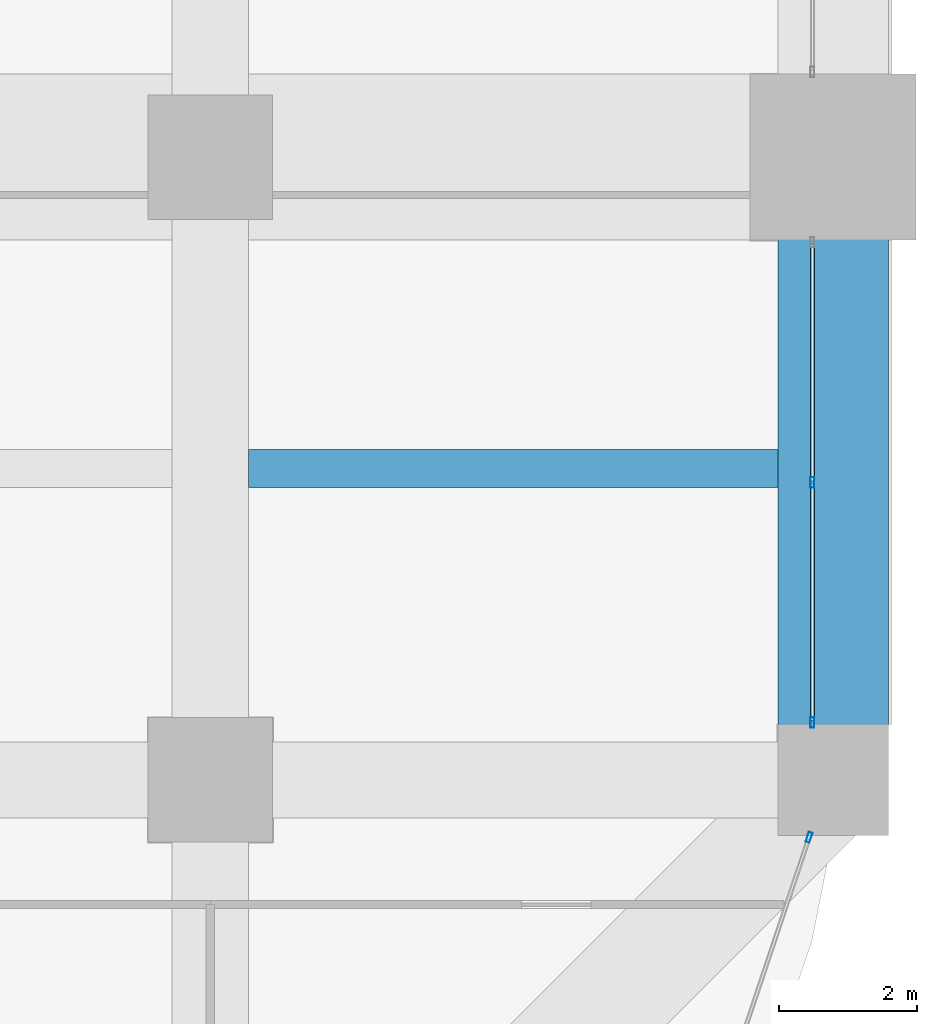
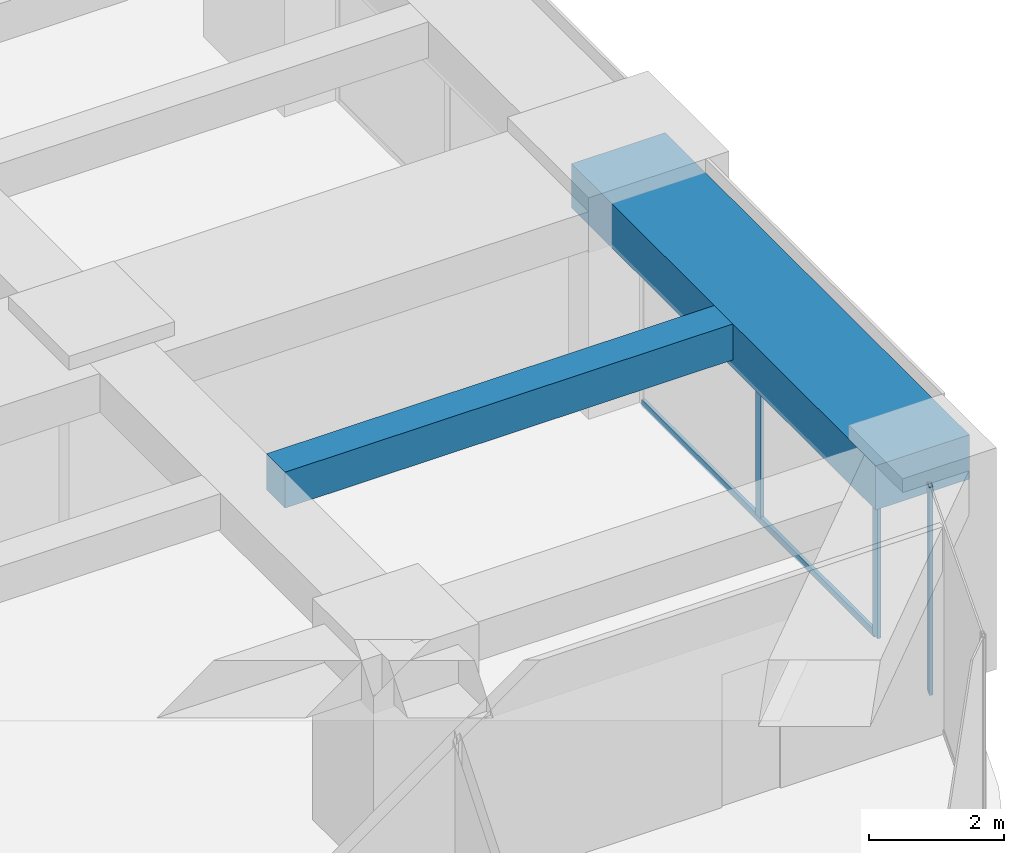
# One storey, part 19 of 42: 4 members, 2 beams, 2 elements without a shape of their own.
"""IFC4 building model written with IfcOpenShell, lengths in metres."""

import ifcopenshell
import ifcopenshell.guid

model = None  # the IFC model being written
_history = None  # IfcOwnerHistory: only IFC2X3 demands one
_inside = {}  # id of a spatial element -> (the spatial element, [elements in it])
_under = {}  # id of a project, library or spatial element -> (it, [spatial elements below it])
_declared = {}  # id of a project -> (the project, [libraries it declares])
_typed = {}  # id of a type object -> (the type object, [elements of that type])
_made_of = {}  # id of a material, layer set ... -> (it, [elements and type objects made of it])


def new_model(schema):
    """Start an empty IFC model of exactly this schema.

    Asked for "IFC4X3", IfcOpenShell would pick the latest addendum, in which some entities
    have other attributes; the version numbers below select the first issue.
    IFC2X3 requires an IfcOwnerHistory on every rooted entity: one is made here for all.
    """
    global model, _history
    if schema == "IFC4X3":
        model = ifcopenshell.file(schema_version=(4, 3, 0, 0))
    else:
        model = ifcopenshell.file(schema=schema)
    _inside.clear()
    _under.clear()
    _declared.clear()
    _typed.clear()
    _made_of.clear()
    _history = None
    if model.schema == "IFC2X3":
        org = make("IfcOrganization", Name="unknown")
        user = make(
            "IfcPersonAndOrganization",
            ThePerson=make("IfcPerson", FamilyName="unknown"),
            TheOrganization=org,
        )
        app = make(
            "IfcApplication",
            ApplicationDeveloper=org,
            Version="unknown",
            ApplicationFullName="unknown",
            ApplicationIdentifier="unknown",
        )
        _history = make(
            "IfcOwnerHistory",
            OwningUser=user,
            OwningApplication=app,
            ChangeAction="ADDED",
            CreationDate=0,
        )
    return model


def make(cls, **values):
    """One entity of the class cls with the attributes given. An attribute that is None is left unset."""
    return model.create_entity(
        cls, **{name: value for name, value in values.items() if value is not None}
    )


def rooted(cls, **values):
    """An entity with a GlobalId (a new one), such as an element, a storey or a relation."""
    return make(cls, GlobalId=ifcopenshell.guid.new(), OwnerHistory=_history, **values)


def si_unit(unit_type, name, prefix=None):
    """IfcSIUnit, for example si_unit("LENGTHUNIT", "METRE", prefix="MILLI")."""
    return make("IfcSIUnit", UnitType=unit_type, Prefix=prefix, Name=name)


def assignment(units):
    """IfcUnitAssignment: the units of a project."""
    return None if units is None else make("IfcUnitAssignment", Units=units)


def point(xyz):
    """IfcCartesianPoint."""
    return None if xyz is None else make("IfcCartesianPoint", Coordinates=xyz)


def direction(xyz):
    """IfcDirection."""
    return None if xyz is None else make("IfcDirection", DirectionRatios=xyz)


def frame(location, z_axis=None, x_axis=None):
    """IfcAxis2Placement3D, a coordinate frame: its origin and axes. An axis left out is left unset."""
    return make(
        "IfcAxis2Placement3D",
        Location=point(location),
        Axis=direction(z_axis),
        RefDirection=direction(x_axis),
    )


def frame_2d(location, x_axis=None):
    """IfcAxis2Placement2D, a coordinate frame in the plane: its origin and x axis."""
    return make(
        "IfcAxis2Placement2D", Location=point(location), RefDirection=direction(x_axis)
    )


def origin():
    """The frame at (0, 0, 0) with its axes left unset."""
    return frame((0.0, 0.0, 0.0))


def origin_2d():
    """The frame at (0, 0) in the plane with its x axis left unset."""
    return frame_2d((0.0, 0.0))


def place(relative_to, where):
    """IfcLocalPlacement: puts the frame where relative to a parent placement (None: the world)."""
    return make(
        "IfcLocalPlacement", PlacementRelTo=relative_to, RelativePlacement=where
    )


def context(
    kind, dimensions, precision=None, world=None, true_north=None, identifier=None
):
    """IfcGeometricRepresentationContext, for example the 3D "Model" context."""
    return make(
        "IfcGeometricRepresentationContext",
        ContextIdentifier=identifier,
        ContextType=kind,
        CoordinateSpaceDimension=dimensions,
        Precision=precision,
        WorldCoordinateSystem=world,
        TrueNorth=true_north,
    )


def subcontext(parent, identifier, kind, view, scale=None):
    """IfcGeometricRepresentationSubContext, for example "Body" below "Model"."""
    return make(
        "IfcGeometricRepresentationSubContext",
        ContextIdentifier=identifier,
        ContextType=kind,
        ParentContext=parent,
        TargetScale=scale,
        TargetView=view,
    )


def project(units=None, contexts=None):
    """IfcProject with its units and contexts."""
    return rooted(
        "IfcProject",
        Name="project",
        RepresentationContexts=contexts,
        UnitsInContext=assignment(units),
    )


def spatial(cls, under=None, at=None, **own):
    """A site, building, storey or space (cls), placed at a placement, below another one or the project."""
    s = rooted(cls, ObjectPlacement=at, **own)
    if under is not None:
        _under.setdefault(under.id(), (under, []))[1].append(s)
    return s


def profile(cls, at=None, kind="AREA", **sizes):
    """A parametric profile (cls). Its sizes go by their IFC names, for example OverallWidth=200.0."""
    return make(cls, ProfileType=kind, Position=at, **sizes)


def rectangle(**sizes):
    """IfcRectangleProfileDef."""
    return profile("IfcRectangleProfileDef", **sizes)


def hollow_rectangle(**sizes):
    """IfcRectangleHollowProfileDef."""
    return profile("IfcRectangleHollowProfileDef", **sizes)


def extrude(swept, where, along, depth):
    """IfcExtrudedAreaSolid: the profile swept, set in the frame where, extruded along a direction by depth."""
    return make(
        "IfcExtrudedAreaSolid",
        SweptArea=swept,
        Position=where,
        ExtrudedDirection=direction(along),
        Depth=depth,
    )


def shape(context_of_items, identifier, shape_type, items):
    """IfcShapeRepresentation: the items that make up one representation, for example the "Body"."""
    return make(
        "IfcShapeRepresentation",
        ContextOfItems=context_of_items,
        RepresentationIdentifier=identifier,
        RepresentationType=shape_type,
        Items=items,
    )


def material(Name=None, Category=None):
    """IfcMaterial."""
    return make("IfcMaterial", Name=Name, Category=Category)


def material_profile(
    of_material, cross_section, Name=None, Category=None, Priority=None
):
    """IfcMaterialProfile: a cross section and its material."""
    return make(
        "IfcMaterialProfile",
        Name=Name,
        Material=of_material,
        Profile=cross_section,
        Priority=Priority,
        Category=Category,
    )


def profile_set(profiles, Name=None, composite=None):
    """IfcMaterialProfileSet."""
    return make(
        "IfcMaterialProfileSet",
        Name=Name,
        MaterialProfiles=profiles,
        CompositeProfile=composite,
    )


def made_of(thing, what):
    """Note that an element or type object is made of a material, layer set ...; save() writes the relation."""
    if what is not None:
        _made_of.setdefault(what.id(), (what, []))[1].append(thing)
    return thing


def type_object(cls, material=None, **own):
    """A type object (cls), such as IfcWallType, which elements share."""
    return made_of(rooted(cls, **own), material)


def element(
    cls,
    number,
    at=None,
    inside=None,
    cuts=None,
    type_object=None,
    material=None,
    context=None,
    identifier="Body",
    shape_type=None,
    held_by="IfcProductDefinitionShape",
    body=None,
    shapes=None,
    **own,
):
    """One element of the class cls, such as IfcWall. Its Tag is "e" and its number.

    at: its placement. inside: the storey or other place that contains it. cuts: it is an
    opening in that element (IfcRelVoidsElement). A single representation is given by context,
    identifier, shape_type and body (its items); several are given by shapes. held_by: the class
    of the entity that holds the representations. save() writes the other relations.
    """
    e = rooted(cls, Tag="e%d" % number, ObjectPlacement=at, **own)
    if body is not None:
        shapes = [shape(context, identifier, shape_type, body)]
    if shapes is not None:
        e.Representation = make(held_by, Representations=shapes)
    if inside is not None:
        _inside.setdefault(inside.id(), (inside, []))[1].append(e)
    if cuts is not None:
        rooted(
            "IfcRelVoidsElement", RelatingBuildingElement=cuts, RelatedOpeningElement=e
        )
    if type_object is not None:
        _typed.setdefault(type_object.id(), (type_object, []))[1].append(e)
    return made_of(e, material)


def aggregate(whole, parts):
    """IfcRelAggregates: a whole, such as a stair, and the parts it consists of."""
    return rooted("IfcRelAggregates", RelatingObject=whole, RelatedObjects=parts)


def save(model, path):
    """Write the relations noted so far, then the file.

    IfcRelAggregates (storeys below a building ...), IfcRelContainedInSpatialStructure (elements
    in a storey), IfcRelDefinesByType, IfcRelAssociatesMaterial and IfcRelDeclares: one each for
    every whole, place, type object, material and project.
    """
    for whole, parts in _under.values():
        aggregate(whole, parts)
    for where, things in _inside.values():
        rooted(
            "IfcRelContainedInSpatialStructure",
            RelatedElements=things,
            RelatingStructure=where,
        )
    for kind, things in _typed.values():
        rooted("IfcRelDefinesByType", RelatedObjects=things, RelatingType=kind)
    for what, things in _made_of.values():
        rooted("IfcRelAssociatesMaterial", RelatedObjects=things, RelatingMaterial=what)
    for by, libraries in _declared.values():
        rooted("IfcRelDeclares", RelatingContext=by, RelatedDefinitions=libraries)
    model.write(path)


model = new_model("IFC4")

# Units and contexts
model_context = context("Model", 3, precision=1e-05, world=origin(), true_north=direction((0.0, 1.0)))
body_context = subcontext(model_context, "Body", "Model", "MODEL_VIEW")
ifc_project = project(units=[si_unit("LENGTHUNIT", "METRE"), si_unit("AREAUNIT", "SQUARE_METRE"), si_unit("VOLUMEUNIT", "CUBIC_METRE"), si_unit("PLANEANGLEUNIT", "RADIAN"), si_unit("MASSUNIT", "GRAM", prefix="KILO")], contexts=[model_context])

# Site, building, storey
site_placement = place(None, origin())
site = spatial("IfcSite", under=ifc_project, at=site_placement, CompositionType="ELEMENT")
building_placement = place(site_placement, origin())
building = spatial("IfcBuilding", under=site, at=building_placement, Name="Zorevar Civic Tower", CompositionType="ELEMENT")
storey_placement = place(building_placement, frame((0.0, 0.0, 149.0)))
storey = spatial("IfcBuildingStorey", under=building, at=storey_placement, Name="L36", CompositionType="ELEMENT", Elevation=149.0)

# Beam
ifc_material_1 = material(Name="Concrete C50/60", Category="concrete")
ifc_material_profile_1 = material_profile(ifc_material_1, rectangle(XDim=0.550048828125, YDim=0.64990234375, at=origin_2d()), Name="RC 550x650")
ifc_profile_set_1 = profile_set([ifc_material_profile_1], Name="Concrete C50/60")
beam_type_1 = type_object("IfcBeamType", Name="Beam RC 550x650", PredefinedType="BEAM", material=ifc_profile_set_1)
beam_1_placement = place(storey_placement, frame((54.550048828125, 13.5, 3.425048828125), z_axis=(1.0, 0.0, 0.0), x_axis=(0.0, 1.0, 0.0)))
element("IfcBeam", 1, at=beam_1_placement, inside=storey, type_object=beam_type_1, Name="Secondary beam L37", PredefinedType="BEAM", context=body_context, shape_type="SweptSolid", body=[
    extrude(rectangle(XDim=0.550048828125, YDim=0.64990234375, at=origin_2d()), origin(), (0.0, 0.0, 1.0), 7.64990234375),
])

# Curtain wall, members
ifc_material_2 = material(Name="Dark grey solar-control glass in black aluminium frame", Category="aluminium")
curtain_wall_type = type_object("IfcCurtainWallType", Name="Curtain wall CW3 mid zone", PredefinedType="NOTDEFINED", material=ifc_material_2)
curtain_wall_1_placement = place(storey_placement, origin())
curtain_wall_1 = element("IfcCurtainWall", 2, at=curtain_wall_1_placement, inside=storey, type_object=curtain_wall_type, Name="CW3 L36", PredefinedType="NOTDEFINED")
ifc_material_3 = material(Name="Aluminium, black anodised", Category="aluminium")
ifc_material_profile_2 = material_profile(ifc_material_3, hollow_rectangle(XDim=0.06005859375, YDim=0.14990234375, WallThickness=0.00390625, at=origin_2d()), Name="AL 150x60x4")
ifc_profile_set_2 = profile_set([ifc_material_profile_2], Name="Aluminium, black anodised")
member_type_1 = type_object("IfcMemberType", Name="CW3 mullion AL 150x60x4", PredefinedType="MULLION", material=ifc_profile_set_2)
member_1_placement = place(storey_placement, frame((62.699951171875, 9.830078125, 0.0), z_axis=(0.0, 0.0, 1.0), x_axis=(-1.0, 0.0, 0.0)))
member_1 = element("IfcMember", 3, at=member_1_placement, type_object=member_type_1, Name="CW3 mullion 1", PredefinedType="MULLION", context=body_context, shape_type="SweptSolid", body=[
    extrude(hollow_rectangle(XDim=0.06005859375, YDim=0.14990234375, WallThickness=0.00390625, at=origin_2d()), origin(), (0.0, 0.0, 1.0), 2.949951171875),
])
member_2_placement = place(storey_placement, frame((62.699951171875, 13.300048828125, 0.06005859375), z_axis=(0.0, 0.0, 1.0), x_axis=(-1.0, 0.0, 0.0)))
member_2 = element("IfcMember", 4, at=member_2_placement, type_object=member_type_1, Name="CW3 mullion 2", PredefinedType="MULLION", context=body_context, shape_type="SweptSolid", body=[
    extrude(hollow_rectangle(XDim=0.06005859375, YDim=0.14990234375, WallThickness=0.00390625, at=origin_2d()), origin(), (0.0, 0.0, 1.0), 2.889892578125),
])

# Curtain wall, member
curtain_wall_2_placement = place(storey_placement, origin())
curtain_wall_2 = element("IfcCurtainWall", 5, at=curtain_wall_2_placement, inside=storey, type_object=curtain_wall_type, Name="CW3 L36", PredefinedType="NOTDEFINED")
member_3_placement = place(storey_placement, frame((62.653564453125, 8.171630859375, 0.0), z_axis=(0.0, 0.0, 1.0), x_axis=(-0.948227238701, 0.317592669603, 0.0)))
member_3 = element("IfcMember", 6, at=member_3_placement, type_object=member_type_1, Name="CW3 mullion 2", PredefinedType="MULLION", context=body_context, shape_type="SweptSolid", body=[
    extrude(hollow_rectangle(XDim=0.06005859375, YDim=0.14990234375, WallThickness=0.00390625, at=origin_2d()), origin(), (0.0, 0.0, 1.0), 3.75),
])
aggregate(curtain_wall_2, [member_3])

# Member
ifc_material_4 = material(Name="Aluminium, black anodised", Category="aluminium")
ifc_material_profile_3 = material_profile(ifc_material_4, hollow_rectangle(XDim=0.06005859375, YDim=0.1201171875, WallThickness=0.0029296875, at=origin_2d()), Name="AL 120x60x3")
ifc_profile_set_3 = profile_set([ifc_material_profile_3], Name="Aluminium, black anodised")
member_type_2 = type_object("IfcMemberType", Name="CW3 transom AL 120x60x3", PredefinedType="USERDEFINED", material=ifc_profile_set_3)
member_4_placement = place(storey_placement, frame((62.699951171875, 9.860107421875, 0.030029296875), z_axis=(0.0, 1.0, 0.0), x_axis=(-1.0, 0.0, 0.0)))
member_4 = element("IfcMember", 7, at=member_4_placement, type_object=member_type_2, Name="CW3 sill transom", ObjectType="TRANSOM", PredefinedType="USERDEFINED", context=body_context, shape_type="SweptSolid", body=[
    extrude(hollow_rectangle(XDim=0.06005859375, YDim=0.1201171875, WallThickness=0.0029296875, at=origin_2d()), origin(), (0.0, 0.0, 1.0), 6.8798828125),
])

aggregate(curtain_wall_1, [member_1, member_2, member_4])

# Beam
ifc_material_5 = material(Name="Concrete C50/60", Category="concrete")
ifc_material_profile_4 = material_profile(ifc_material_5, rectangle(XDim=1.60009765625, YDim=0.800048828125, at=origin_2d()), Name="RC 1600x800")
ifc_profile_set_4 = profile_set([ifc_material_profile_4], Name="Concrete C50/60")
beam_type_2 = type_object("IfcBeamType", Name="Edge beam RC 1600x800", PredefinedType="SPANDREL", material=ifc_profile_set_4)
beam_2_placement = place(storey_placement, frame((63.0, 9.0, 3.35009765625), z_axis=(0.0, 1.0, 0.0), x_axis=(-1.0, 0.0, 0.0)))
element("IfcBeam", 8, at=beam_2_placement, inside=storey, type_object=beam_type_2, Name="Edge beam L37", PredefinedType="SPANDREL", context=body_context, shape_type="SweptSolid", body=[
    extrude(rectangle(XDim=1.60009765625, YDim=0.800048828125, at=origin_2d()), origin(), (0.0, 0.0, 1.0), 9.0),
])

save(model, "model.ifc")
